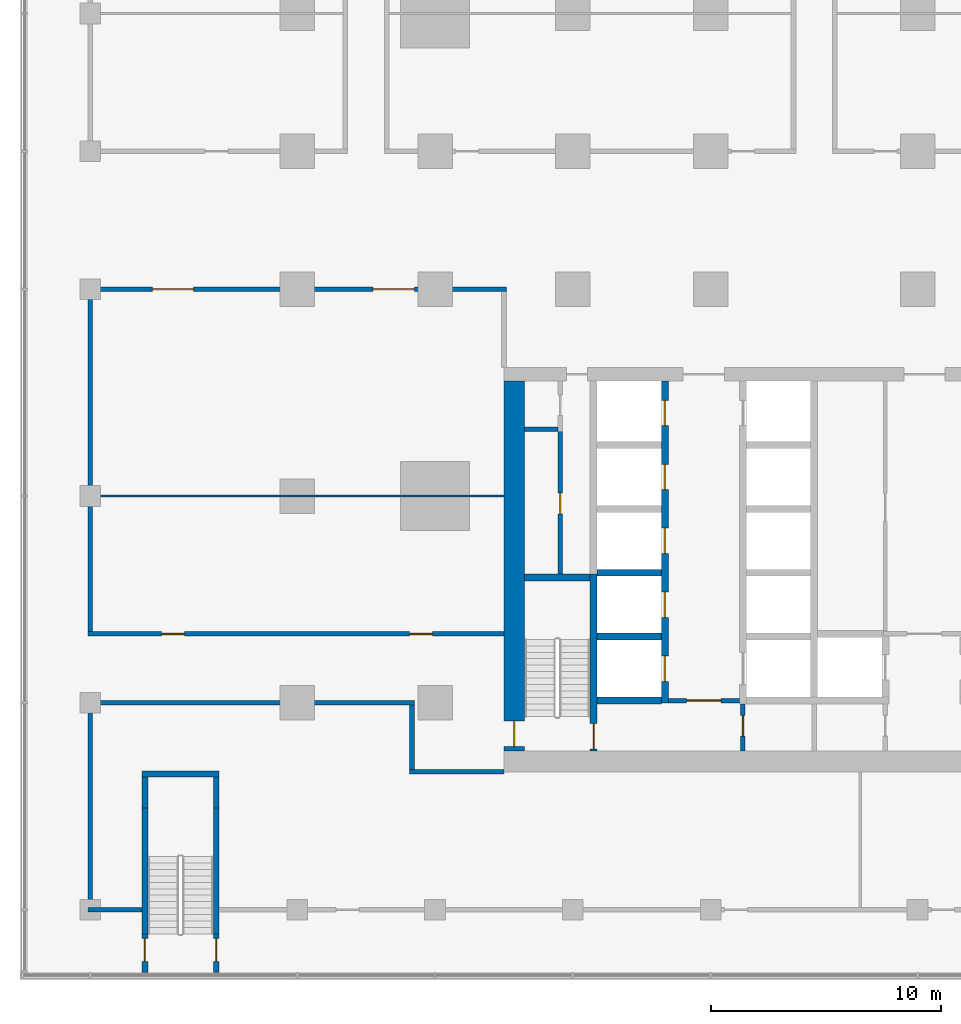
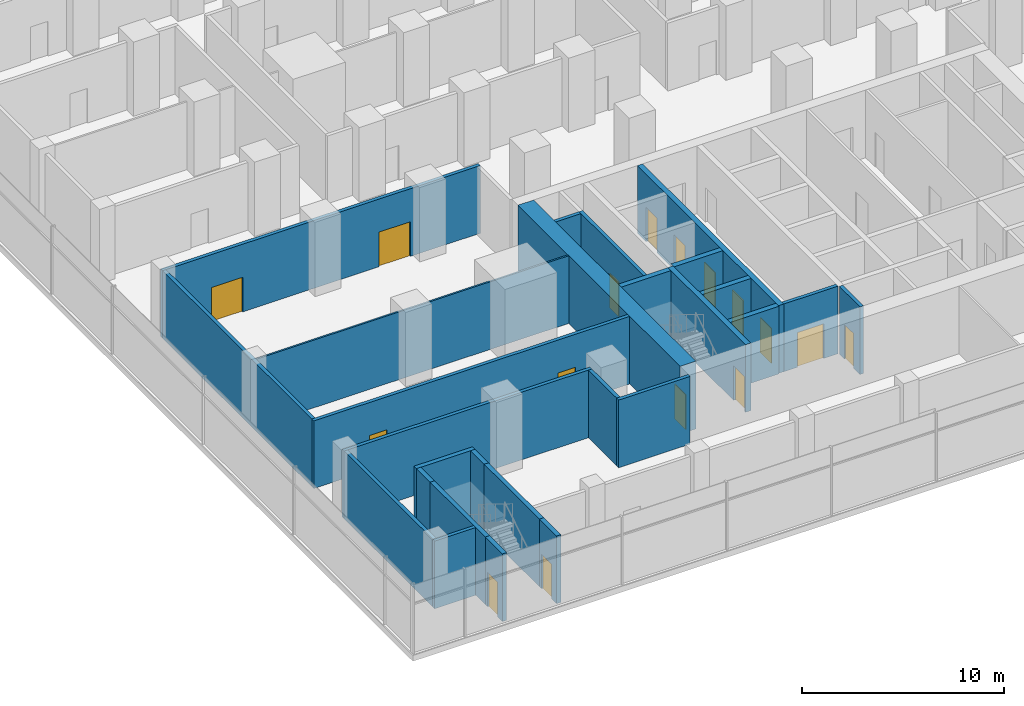
# One storey, part 12 of 22: 27 walls, 16 doors, 16 openings.
"""IFC4 building model written with IfcOpenShell, lengths in metres."""

from ifc_helpers import new_model, si_unit, direction, frame, frame_2d, origin, place, context, subcontext, project, spatial, rectangle, extrude, material, layer, layer_set, type_object, element, fill, save


model = new_model("IFC4")

# Units and contexts
model_context = context("Model", 3, precision=1e-05, world=origin(), true_north=direction((0.0, 1.0)))
body_context = subcontext(model_context, "Body", "Model", "MODEL_VIEW")
ifc_project = project(units=[si_unit("LENGTHUNIT", "METRE"), si_unit("AREAUNIT", "SQUARE_METRE"), si_unit("VOLUMEUNIT", "CUBIC_METRE"), si_unit("PLANEANGLEUNIT", "RADIAN"), si_unit("MASSUNIT", "GRAM", prefix="KILO")], contexts=[model_context])

# Site, building, storey
site_placement = place(None, origin())
site = spatial("IfcSite", under=ifc_project, at=site_placement, CompositionType="ELEMENT")
building_placement = place(site_placement, origin())
building = spatial("IfcBuilding", under=site, at=building_placement, Name="Finial Court Residences", CompositionType="ELEMENT")
storey_placement = place(building_placement, frame((0.0, 0.0, 28.0)))
storey = spatial("IfcBuildingStorey", under=building, at=storey_placement, Name="L05", CompositionType="ELEMENT", Elevation=28.0)

# Wall, opening, door
ifc_material_1 = material(Name="Concrete C80/95", Category="concrete")
ifc_layer_1 = layer(ifc_material_1, 0.89990234375)
ifc_layer_set_1 = layer_set([ifc_layer_1], Name="Core outer wall 900 Concrete C80/95")
wall_type_1 = type_object("IfcWallType", Name="Core outer wall 900 Concrete C80/95", PredefinedType="SHEAR", material=ifc_layer_set_1)
wall_1_placement = place(storey_placement, frame((-13.050048828125, -8.5, 0.0), z_axis=(0.0, 0.0, 1.0), x_axis=(0.0, -1.0, 0.0)))
wall_1 = element("IfcWall", 1, at=wall_1_placement, inside=storey, type_object=wall_type_1, Name="Core outer wall L05-03", PredefinedType="SHEAR", context=body_context, shape_type="SweptSolid", body=[
    extrude(rectangle(XDim=16.10009765625, YDim=0.89990234375, at=frame_2d((8.050048828125, 0.0))), origin(), (0.0, 0.0, 1.0), 4.10009765625),
])
opening_1_placement = place(wall_1_placement, frame((14.800048828125, 0.0, 0.0)))
opening_1 = element("IfcOpeningElement", 2, at=opening_1_placement, cuts=wall_1, Name="Opening L05-C19", PredefinedType="OPENING", context=body_context, shape_type="SweptSolid", body=[
    extrude(rectangle(XDim=1.10009765625, YDim=2.10009765625, at=frame_2d((0.550048828125, 1.050048828125))), frame((0.0, 0.4599609375, 0.0), z_axis=(0.0, -1.0, 0.0), x_axis=(1.0, 0.0, 0.0)), (0.0, 0.0, 1.0), 0.919921875),
])
ifc_material_2 = material(Name="Steel fire door", Category="steel")
door_type_1 = type_object("IfcDoorType", Name="Stair door 1100 x 2100 EI 90", OperationType="NOTDEFINED", PredefinedType="DOOR", material=ifc_material_2)
door_1_placement = place(opening_1_placement, origin())
door_1 = element("IfcDoor", 3, at=door_1_placement, inside=storey, type_object=door_type_1, Name="Stair door L05-C19", OperationType="SINGLE_SWING_RIGHT", OverallHeight=2.10009765625, OverallWidth=1.10009765625, PredefinedType="DOOR", context=body_context, shape_type="SweptSolid", body=[
    extrude(rectangle(XDim=1.10009765625, YDim=2.10009765625, at=frame_2d((0.550048828125, 1.050048828125))), frame((0.0, 0.02490234375, 0.0), z_axis=(0.0, -1.0, 0.0), x_axis=(1.0, 0.0, 0.0)), (0.0, 0.0, 1.0), 0.050048828125),
])
fill(opening_1, door_1)

# Walls
ifc_material_3 = material(Name="Gypsum board")
ifc_layer_2 = layer(ifc_material_3, 0.02490234375)
ifc_material_4 = material(Name="Acoustic mineral wool in double frame")
ifc_layer_3 = layer(ifc_material_4, 0.14990234375)
ifc_layer_4 = layer(ifc_material_3, 0.02490234375)
ifc_layer_set_2 = layer_set([ifc_layer_2, ifc_layer_3, ifc_layer_4], Name="Corridor wall 200, 1 hour")
wall_type_2 = type_object("IfcWallType", Name="Corridor wall 200, 1 hour", PredefinedType="PARTITIONING", material=ifc_layer_set_2)
wall_2_placement = place(storey_placement, frame((-31.60009765625, -31.5, 0.0), z_axis=(0.0, 0.0, 1.0), x_axis=(1.0, 0.0, 0.0)))
element("IfcWall", 4, at=wall_2_placement, inside=storey, type_object=wall_type_2, Name="Partition L05-000", PredefinedType="PARTITIONING", context=body_context, shape_type="SweptSolid", body=[
    extrude(rectangle(XDim=2.35009765625, YDim=0.199951171875, at=frame_2d((1.175048828125, 0.0))), origin(), (0.0, 0.0, 1.0), 4.10009765625),
])
wall_3_placement = place(storey_placement, frame((-17.60009765625, -25.5, 0.0), z_axis=(0.0, 0.0, 1.0), x_axis=(1.0, 0.0, 0.0)))
element("IfcWall", 5, at=wall_3_placement, inside=storey, type_object=wall_type_2, Name="Partition L05-003", PredefinedType="PARTITIONING", context=body_context, shape_type="SweptSolid", body=[
    extrude(rectangle(XDim=4.10009765625, YDim=0.199951171875, at=frame_2d((2.050048828125, 0.0))), origin(), (0.0, 0.0, 1.0), 4.10009765625),
])
wall_4_placement = place(storey_placement, frame((-31.60009765625, -22.5, 0.0), z_axis=(0.0, 0.0, 1.0), x_axis=(1.0, 0.0, 0.0)))
element("IfcWall", 6, at=wall_4_placement, inside=storey, type_object=wall_type_2, Name="Partition L05-005", PredefinedType="PARTITIONING", context=body_context, shape_type="SweptSolid", body=[
    extrude(rectangle(XDim=14.2001953125, YDim=0.199951171875, at=frame_2d((7.10009765625, 0.0))), origin(), (0.0, 0.0, 1.0), 4.10009765625),
])

# Wall, openings, doors
wall_5_placement = place(storey_placement, frame((-31.60009765625, -19.5, 0.0), z_axis=(0.0, 0.0, 1.0), x_axis=(1.0, 0.0, 0.0)))
wall_5 = element("IfcWall", 7, at=wall_5_placement, inside=storey, type_object=wall_type_2, Name="Partition L05-008", PredefinedType="PARTITIONING", context=body_context, shape_type="SweptSolid", body=[
    extrude(rectangle(XDim=18.10009765625, YDim=0.199951171875, at=frame_2d((9.050048828125, 0.0))), origin(), (0.0, 0.0, 1.0), 4.10009765625),
])
opening_2_placement = place(wall_5_placement, frame((3.199951171875, 0.0, 0.0)))
opening_2 = element("IfcOpeningElement", 8, at=opening_2_placement, cuts=wall_5, Name="Opening L05-D008", PredefinedType="OPENING", context=body_context, shape_type="SweptSolid", body=[
    extrude(rectangle(XDim=1.0, YDim=2.10009765625, at=frame_2d((0.5, 1.050048828125))), frame((0.0, 0.10986328125, 0.0), z_axis=(0.0, -1.0, 0.0), x_axis=(1.0, 0.0, 0.0)), (0.0, 0.0, 1.0), 0.219970703125),
])
opening_3_placement = place(wall_5_placement, frame((14.0, 0.0, 0.0)))
opening_3 = element("IfcOpeningElement", 9, at=opening_3_placement, cuts=wall_5, Name="Opening L05-D009", PredefinedType="OPENING", context=body_context, shape_type="SweptSolid", body=[
    extrude(rectangle(XDim=1.0, YDim=2.10009765625, at=frame_2d((0.5, 1.050048828125))), frame((0.0, 0.10986328125, 0.0), z_axis=(0.0, -1.0, 0.0), x_axis=(1.0, 0.0, 0.0)), (0.0, 0.0, 1.0), 0.219970703125),
])
ifc_material_5 = material(Name="Timber door leaf in hollow metal frame", Category="wood")
door_type_2 = type_object("IfcDoorType", Name="Fire door set 1000 x 2100, 30 minutes", OperationType="SINGLE_SWING_LEFT", PredefinedType="DOOR", material=ifc_material_5)
door_2_placement = place(opening_2_placement, origin())
door_2 = element("IfcDoor", 10, at=door_2_placement, inside=storey, type_object=door_type_2, Name="Door L05-D008", OperationType="SINGLE_SWING_RIGHT", OverallHeight=2.10009765625, OverallWidth=1.0, PredefinedType="DOOR", context=body_context, shape_type="SweptSolid", body=[
    extrude(rectangle(XDim=1.0, YDim=2.10009765625, at=frame_2d((0.5, 1.050048828125))), frame((0.0, 0.02490234375, 0.0), z_axis=(0.0, -1.0, 0.0), x_axis=(1.0, 0.0, 0.0)), (0.0, 0.0, 1.0), 0.050048828125),
])
fill(opening_2, door_2)
door_3_placement = place(opening_3_placement, origin())
door_3 = element("IfcDoor", 11, at=door_3_placement, inside=storey, type_object=door_type_2, Name="Door L05-D009", OperationType="SINGLE_SWING_LEFT", OverallHeight=2.10009765625, OverallWidth=1.0, PredefinedType="DOOR", context=body_context, shape_type="SweptSolid", body=[
    extrude(rectangle(XDim=1.0, YDim=2.10009765625, at=frame_2d((0.5, 1.050048828125))), frame((0.0, 0.02490234375, 0.0), z_axis=(0.0, -1.0, 0.0), x_axis=(1.0, 0.0, 0.0)), (0.0, 0.0, 1.0), 0.050048828125),
])
fill(opening_3, door_3)

wall_6_placement = place(storey_placement, frame((-31.60009765625, -4.5, 0.0), z_axis=(0.0, 0.0, 1.0), x_axis=(1.0, 0.0, 0.0)))
wall_6 = element("IfcWall", 12, at=wall_6_placement, inside=storey, type_object=wall_type_2, Name="Partition L05-015", PredefinedType="PARTITIONING", context=body_context, shape_type="SweptSolid", body=[
    extrude(rectangle(XDim=18.2001953125, YDim=0.199951171875, at=frame_2d((9.10009765625, 0.0))), origin(), (0.0, 0.0, 1.0), 4.10009765625),
])
opening_4_placement = place(wall_6_placement, frame((2.800048828125, 0.0, 0.0)))
opening_4 = element("IfcOpeningElement", 13, at=opening_4_placement, cuts=wall_6, Name="Opening L05-D013", PredefinedType="OPENING", context=body_context, shape_type="SweptSolid", body=[
    extrude(rectangle(XDim=1.800048828125, YDim=2.10009765625, at=frame_2d((0.89990234375, 1.050048828125))), frame((0.0, 0.10986328125, 0.0), z_axis=(0.0, -1.0, 0.0), x_axis=(1.0, 0.0, 0.0)), (0.0, 0.0, 1.0), 0.219970703125),
])
opening_5_placement = place(wall_6_placement, frame((12.39990234375, 0.0, 0.0)))
opening_5 = element("IfcOpeningElement", 14, at=opening_5_placement, cuts=wall_6, Name="Opening L05-D014", PredefinedType="OPENING", context=body_context, shape_type="SweptSolid", body=[
    extrude(rectangle(XDim=1.800048828125, YDim=2.10009765625, at=frame_2d((0.89990234375, 1.050048828125))), frame((0.0, 0.10986328125, 0.0), z_axis=(0.0, -1.0, 0.0), x_axis=(1.0, 0.0, 0.0)), (0.0, 0.0, 1.0), 0.219970703125),
])
door_type_3 = type_object("IfcDoorType", Name="Fire door set 1800 x 2100, 30 minutes", OperationType="DOUBLE_DOOR_SINGLE_SWING", PredefinedType="DOOR", material=ifc_material_5)
door_4_placement = place(opening_4_placement, origin())
door_4 = element("IfcDoor", 15, at=door_4_placement, inside=storey, type_object=door_type_3, Name="Door L05-D013", OperationType="DOUBLE_DOOR_SINGLE_SWING", OverallHeight=2.10009765625, OverallWidth=1.800048828125, PredefinedType="DOOR", context=body_context, shape_type="SweptSolid", body=[
    extrude(rectangle(XDim=1.800048828125, YDim=2.10009765625, at=frame_2d((0.89990234375, 1.050048828125))), frame((0.0, 0.02490234375, 0.0), z_axis=(0.0, -1.0, 0.0), x_axis=(1.0, 0.0, 0.0)), (0.0, 0.0, 1.0), 0.050048828125),
])
fill(opening_4, door_4)
door_5_placement = place(opening_5_placement, origin())
door_5 = element("IfcDoor", 16, at=door_5_placement, inside=storey, type_object=door_type_3, Name="Door L05-D014", OperationType="DOUBLE_DOOR_SINGLE_SWING", OverallHeight=2.10009765625, OverallWidth=1.800048828125, PredefinedType="DOOR", context=body_context, shape_type="SweptSolid", body=[
    extrude(rectangle(XDim=1.800048828125, YDim=2.10009765625, at=frame_2d((0.89990234375, 1.050048828125))), frame((0.0, 0.02490234375, 0.0), z_axis=(0.0, -1.0, 0.0), x_axis=(1.0, 0.0, 0.0)), (0.0, 0.0, 1.0), 0.050048828125),
])
fill(opening_5, door_5)

# Walls
wall_7_placement = place(storey_placement, frame((-31.5, -31.39990234375, 0.0), z_axis=(0.0, 0.0, 1.0), x_axis=(0.0, 1.0, 0.0)))
element("IfcWall", 17, at=wall_7_placement, inside=storey, type_object=wall_type_2, Name="Partition L05-039", PredefinedType="PARTITIONING", context=body_context, shape_type="SweptSolid", body=[
    extrude(rectangle(XDim=8.7998046875, YDim=0.199951171875, at=frame_2d((4.39990234375, 0.0))), origin(), (0.0, 0.0, 1.0), 4.10009765625),
])
wall_8_placement = place(storey_placement, frame((-31.5, -19.39990234375, 0.0), z_axis=(0.0, 0.0, 1.0), x_axis=(0.0, 1.0, 0.0)))
element("IfcWall", 18, at=wall_8_placement, inside=storey, type_object=wall_type_2, Name="Partition L05-040", PredefinedType="PARTITIONING", context=body_context, shape_type="SweptSolid", body=[
    extrude(rectangle(XDim=14.7998046875, YDim=0.199951171875, at=frame_2d((7.39990234375, 0.0))), origin(), (0.0, 0.0, 1.0), 4.10009765625),
])
wall_9_placement = place(storey_placement, frame((-17.5, -25.39990234375, 0.0), z_axis=(0.0, 0.0, 1.0), x_axis=(0.0, 1.0, 0.0)))
element("IfcWall", 19, at=wall_9_placement, inside=storey, type_object=wall_type_2, Name="Partition L05-045", PredefinedType="PARTITIONING", context=body_context, shape_type="SweptSolid", body=[
    extrude(rectangle(XDim=2.7998046875, YDim=0.199951171875, at=frame_2d((1.39990234375, 0.0))), origin(), (0.0, 0.0, 1.0), 4.10009765625),
])
ifc_layer_5 = layer(ifc_material_3, 0.012451171875)
ifc_material_6 = material(Name="Mineral wool in light-gauge frame")
ifc_layer_6 = layer(ifc_material_6, 0.074951171875)
ifc_layer_7 = layer(ifc_material_3, 0.012451171875)
ifc_layer_set_3 = layer_set([ifc_layer_5, ifc_layer_6, ifc_layer_7], Name="Gypsum board partition 100")
wall_type_3 = type_object("IfcWallType", Name="Gypsum board partition 100", PredefinedType="PARTITIONING", material=ifc_layer_set_3)
wall_10_placement = place(storey_placement, frame((-31.39990234375, -13.5, 0.0), z_axis=(0.0, 0.0, 1.0), x_axis=(1.0, 0.0, 0.0)))
element("IfcWall", 20, at=wall_10_placement, inside=storey, type_object=wall_type_3, Name="Partition L05-012", PredefinedType="PARTITIONING", context=body_context, shape_type="SweptSolid", body=[
    extrude(rectangle(XDim=17.89990234375, YDim=0.10009765625, at=frame_2d((8.949951171875, 0.0))), origin(), (0.0, 0.0, 1.0), 4.10009765625),
])
ifc_layer_8 = layer(ifc_material_1, 0.300048828125)
ifc_layer_set_4 = layer_set([ifc_layer_8], Name="Lift shaft and stair wall 300 Concrete C80/95")
wall_type_4 = type_object("IfcWallType", Name="Lift shaft and stair wall 300 Concrete C80/95", PredefinedType="SHEAR", material=ifc_layer_set_4)
for number, where, z_axis, x_axis, name in (
    (21, (-9.449951171875, -22.39990234375, 0.0), (0.0, 0.0, 1.0), (1.0, 0.0, 0.0), "Core wall L05-01"),
    (22, (-9.449951171875, -19.6201171875, 0.0), (0.0, 0.0, 1.0), (1.0, 0.0, 0.0), "Core wall L05-05"),
):
    element("IfcWall", number, at=place(storey_placement, frame(where, z_axis=z_axis, x_axis=x_axis)), inside=storey, type_object=wall_type_4, Name=name, PredefinedType="SHEAR", context=body_context, shape_type="SweptSolid", body=[
        extrude(rectangle(XDim=2.800048828125, YDim=0.300048828125, at=frame_2d((1.39990234375, 0.0))), origin(), (0.0, 0.0, 1.0), 4.10009765625),
    ])
wall_11_placement = place(storey_placement, frame((-12.60009765625, -17.050048828125, 0.0), z_axis=(0.0, 0.0, 1.0), x_axis=(1.0, 0.0, 0.0)))
element("IfcWall", 23, at=wall_11_placement, inside=storey, type_object=wall_type_4, Name="Core wall L05-10", PredefinedType="SHEAR", context=body_context, shape_type="SweptSolid", body=[
    extrude(rectangle(XDim=2.85009765625, YDim=0.300048828125, at=frame_2d((1.425048828125, 0.0))), origin(), (0.0, 0.0, 1.0), 4.10009765625),
])
wall_12_placement = place(storey_placement, frame((-9.449951171875, -16.840087890625, 0.0), z_axis=(0.0, 0.0, 1.0), x_axis=(1.0, 0.0, 0.0)))
element("IfcWall", 24, at=wall_12_placement, inside=storey, type_object=wall_type_4, Name="Core wall L05-12", PredefinedType="SHEAR", context=body_context, shape_type="SweptSolid", body=[
    extrude(rectangle(XDim=2.800048828125, YDim=0.300048828125, at=frame_2d((1.39990234375, 0.0))), origin(), (0.0, 0.0, 1.0), 4.10009765625),
])

# Wall, opening, door
wall_13_placement = place(storey_placement, frame((-9.60009765625, -24.60009765625, 0.0), z_axis=(0.0, 0.0, 1.0), x_axis=(0.0, 1.0, 0.0)))
wall_13 = element("IfcWall", 25, at=wall_13_placement, inside=storey, type_object=wall_type_4, Name="Core wall L05-23", PredefinedType="SHEAR", context=body_context, shape_type="SweptSolid", body=[
    extrude(rectangle(XDim=7.7001953125, YDim=0.300048828125, at=frame_2d((3.85009765625, 0.0))), origin(), (0.0, 0.0, 1.0), 4.10009765625),
])
opening_6_placement = place(wall_13_placement, frame((0.10009765625, 0.0, 0.0)))
opening_6 = element("IfcOpeningElement", 26, at=opening_6_placement, cuts=wall_13, Name="Opening L05-C17", PredefinedType="OPENING", context=body_context, shape_type="SweptSolid", body=[
    extrude(rectangle(XDim=1.10009765625, YDim=2.10009765625, at=frame_2d((0.550048828125, 1.050048828125))), frame((0.0, 0.159912109375, 0.0), z_axis=(0.0, -1.0, 0.0), x_axis=(1.0, 0.0, 0.0)), (0.0, 0.0, 1.0), 0.320068359375),
])
door_6_placement = place(opening_6_placement, origin())
door_6 = element("IfcDoor", 27, at=door_6_placement, inside=storey, type_object=door_type_1, Name="Stair door L05-C17", OperationType="SINGLE_SWING_LEFT", OverallHeight=2.10009765625, OverallWidth=1.10009765625, PredefinedType="DOOR", context=body_context, shape_type="SweptSolid", body=[
    extrude(rectangle(XDim=1.10009765625, YDim=2.10009765625, at=frame_2d((0.550048828125, 1.050048828125))), frame((0.0, 0.02490234375, 0.0), z_axis=(0.0, -1.0, 0.0), x_axis=(1.0, 0.0, 0.0)), (0.0, 0.0, 1.0), 0.050048828125),
])
fill(opening_6, door_6)

# Wall, openings, doors
wall_14_placement = place(storey_placement, frame((-6.5, -22.5, 0.0), z_axis=(0.0, 0.0, 1.0), x_axis=(0.0, 1.0, 0.0)))
wall_14 = element("IfcWall", 28, at=wall_14_placement, inside=storey, type_object=wall_type_4, Name="Core wall L05-25", PredefinedType="SHEAR", context=body_context, shape_type="SweptSolid", body=[
    extrude(rectangle(XDim=14.0, YDim=0.300048828125, at=frame_2d((7.0, 0.0))), origin(), (0.0, 0.0, 1.0), 4.10009765625),
])
opening_7_placement = place(wall_14_placement, frame((0.93994140625, 0.0, 0.0)))
opening_7 = element("IfcOpeningElement", 29, at=opening_7_placement, cuts=wall_14, Name="Opening L05-LD03", PredefinedType="OPENING", context=body_context, shape_type="SweptSolid", body=[
    extrude(rectangle(XDim=1.10009765625, YDim=2.10009765625, at=frame_2d((0.550048828125, 1.050048828125))), frame((0.0, 0.159912109375, 0.0), z_axis=(0.0, -1.0, 0.0), x_axis=(1.0, 0.0, 0.0)), (0.0, 0.0, 1.0), 0.320068359375),
])
opening_8_placement = place(wall_14_placement, frame((3.719970703125, 0.0, 0.0)))
opening_8 = element("IfcOpeningElement", 30, at=opening_8_placement, cuts=wall_14, Name="Opening L05-LD04", PredefinedType="OPENING", context=body_context, shape_type="SweptSolid", body=[
    extrude(rectangle(XDim=1.10009765625, YDim=2.10009765625, at=frame_2d((0.550048828125, 1.050048828125))), frame((0.0, 0.159912109375, 0.0), z_axis=(0.0, -1.0, 0.0), x_axis=(1.0, 0.0, 0.0)), (0.0, 0.0, 1.0), 0.320068359375),
])
opening_9_placement = place(wall_14_placement, frame((6.5, 0.0, 0.0)))
opening_9 = element("IfcOpeningElement", 31, at=opening_9_placement, cuts=wall_14, Name="Opening L05-LD05", PredefinedType="OPENING", context=body_context, shape_type="SweptSolid", body=[
    extrude(rectangle(XDim=1.10009765625, YDim=2.10009765625, at=frame_2d((0.550048828125, 1.050048828125))), frame((0.0, 0.159912109375, 0.0), z_axis=(0.0, -1.0, 0.0), x_axis=(1.0, 0.0, 0.0)), (0.0, 0.0, 1.0), 0.320068359375),
])
opening_10_placement = place(wall_14_placement, frame((9.280029296875, 0.0, 0.0)))
opening_10 = element("IfcOpeningElement", 32, at=opening_10_placement, cuts=wall_14, Name="Opening L05-LD06", PredefinedType="OPENING", context=body_context, shape_type="SweptSolid", body=[
    extrude(rectangle(XDim=1.10009765625, YDim=2.10009765625, at=frame_2d((0.550048828125, 1.050048828125))), frame((0.0, 0.159912109375, 0.0), z_axis=(0.0, -1.0, 0.0), x_axis=(1.0, 0.0, 0.0)), (0.0, 0.0, 1.0), 0.320068359375),
])
opening_11_placement = place(wall_14_placement, frame((12.06005859375, 0.0, 0.0)))
opening_11 = element("IfcOpeningElement", 33, at=opening_11_placement, cuts=wall_14, Name="Opening L05-LD07", PredefinedType="OPENING", context=body_context, shape_type="SweptSolid", body=[
    extrude(rectangle(XDim=1.10009765625, YDim=2.10009765625, at=frame_2d((0.550048828125, 1.050048828125))), frame((0.0, 0.159912109375, 0.0), z_axis=(0.0, -1.0, 0.0), x_axis=(1.0, 0.0, 0.0)), (0.0, 0.0, 1.0), 0.320068359375),
])
ifc_material_7 = material(Name="Stainless steel lift door", Category="steel")
door_type_4 = type_object("IfcDoorType", Name="Lift landing door 1100 x 2100 EI 90", OperationType="DOUBLE_DOOR_SLIDING", PredefinedType="DOOR", material=ifc_material_7)
door_7_placement = place(opening_7_placement, origin())
door_7 = element("IfcDoor", 34, at=door_7_placement, inside=storey, type_object=door_type_4, Name="Lift landing door LR1 L05", OperationType="DOUBLE_DOOR_SLIDING", OverallHeight=2.10009765625, OverallWidth=1.10009765625, PredefinedType="DOOR", context=body_context, shape_type="SweptSolid", body=[
    extrude(rectangle(XDim=1.10009765625, YDim=2.10009765625, at=frame_2d((0.550048828125, 1.050048828125))), frame((0.0, 0.02490234375, 0.0), z_axis=(0.0, -1.0, 0.0), x_axis=(1.0, 0.0, 0.0)), (0.0, 0.0, 1.0), 0.050048828125),
])
fill(opening_7, door_7)
door_8_placement = place(opening_8_placement, origin())
door_8 = element("IfcDoor", 35, at=door_8_placement, inside=storey, type_object=door_type_4, Name="Lift landing door LR2 L05", OperationType="DOUBLE_DOOR_SLIDING", OverallHeight=2.10009765625, OverallWidth=1.10009765625, PredefinedType="DOOR", context=body_context, shape_type="SweptSolid", body=[
    extrude(rectangle(XDim=1.10009765625, YDim=2.10009765625, at=frame_2d((0.550048828125, 1.050048828125))), frame((0.0, 0.02490234375, 0.0), z_axis=(0.0, -1.0, 0.0), x_axis=(1.0, 0.0, 0.0)), (0.0, 0.0, 1.0), 0.050048828125),
])
fill(opening_8, door_8)
door_9_placement = place(opening_9_placement, origin())
door_9 = element("IfcDoor", 36, at=door_9_placement, inside=storey, type_object=door_type_4, Name="Lift landing door LR3 L05", OperationType="DOUBLE_DOOR_SLIDING", OverallHeight=2.10009765625, OverallWidth=1.10009765625, PredefinedType="DOOR", context=body_context, shape_type="SweptSolid", body=[
    extrude(rectangle(XDim=1.10009765625, YDim=2.10009765625, at=frame_2d((0.550048828125, 1.050048828125))), frame((0.0, 0.02490234375, 0.0), z_axis=(0.0, -1.0, 0.0), x_axis=(1.0, 0.0, 0.0)), (0.0, 0.0, 1.0), 0.050048828125),
])
fill(opening_9, door_9)
door_10_placement = place(opening_10_placement, origin())
door_10 = element("IfcDoor", 37, at=door_10_placement, inside=storey, type_object=door_type_4, Name="Lift landing door LR4 L05", OperationType="DOUBLE_DOOR_SLIDING", OverallHeight=2.10009765625, OverallWidth=1.10009765625, PredefinedType="DOOR", context=body_context, shape_type="SweptSolid", body=[
    extrude(rectangle(XDim=1.10009765625, YDim=2.10009765625, at=frame_2d((0.550048828125, 1.050048828125))), frame((0.0, 0.02490234375, 0.0), z_axis=(0.0, -1.0, 0.0), x_axis=(1.0, 0.0, 0.0)), (0.0, 0.0, 1.0), 0.050048828125),
])
fill(opening_10, door_10)
door_11_placement = place(opening_11_placement, origin())
door_11 = element("IfcDoor", 38, at=door_11_placement, inside=storey, type_object=door_type_4, Name="Lift landing door LR5 L05", OperationType="DOUBLE_DOOR_SLIDING", OverallHeight=2.10009765625, OverallWidth=1.10009765625, PredefinedType="DOOR", context=body_context, shape_type="SweptSolid", body=[
    extrude(rectangle(XDim=1.10009765625, YDim=2.10009765625, at=frame_2d((0.550048828125, 1.050048828125))), frame((0.0, 0.02490234375, 0.0), z_axis=(0.0, -1.0, 0.0), x_axis=(1.0, 0.0, 0.0)), (0.0, 0.0, 1.0), 0.050048828125),
])
fill(opening_11, door_11)

# Wall
ifc_material_8 = material(Name="Fire-rated gypsum board partition")
ifc_layer_9 = layer(ifc_material_8, 0.199951171875)
ifc_layer_set_5 = layer_set([ifc_layer_9], Name="Riser room wall 200 EI 120")
wall_type_5 = type_object("IfcWallType", Name="Riser room wall 200 EI 120", PredefinedType="PARTITIONING", material=ifc_layer_set_5)
wall_15_placement = place(storey_placement, frame((-12.60009765625, -10.60009765625, 0.0), z_axis=(0.0, 0.0, 1.0), x_axis=(1.0, 0.0, 0.0)))
element("IfcWall", 39, at=wall_15_placement, inside=storey, type_object=wall_type_5, Name="Core partition L05-20", PredefinedType="PARTITIONING", context=body_context, shape_type="SweptSolid", body=[
    extrude(rectangle(XDim=1.4501953125, YDim=0.199951171875, at=frame_2d((0.72509765625, 0.0))), origin(), (0.0, 0.0, 1.0), 4.10009765625),
])

# Wall, opening, door
ifc_material_9 = material(Name="Concrete C50/60", Category="concrete")
ifc_layer_10 = layer(ifc_material_9, 0.25)
ifc_layer_set_6 = layer_set([ifc_layer_10], Name="Stair enclosure wall 250 Concrete C50/60")
wall_type_6 = type_object("IfcWallType", Name="Stair enclosure wall 250 Concrete C50/60", PredefinedType="SHEAR", material=ifc_layer_set_6)
wall_16_placement = place(storey_placement, frame((-29.125, -32.550048828125, 0.0), z_axis=(0.0, 0.0, 1.0), x_axis=(0.0, -1.0, 0.0)))
wall_16 = element("IfcWall", 40, at=wall_16_placement, inside=storey, type_object=wall_type_6, Name="Exit Stair 4 enclosure wall L05-W1", PredefinedType="SHEAR", context=body_context, shape_type="SweptSolid", body=[
    extrude(rectangle(XDim=1.68994140625, YDim=0.25, at=frame_2d((0.844970703125, 0.0))), origin(), (0.0, 0.0, 1.0), 4.10009765625),
])
opening_12_placement = place(wall_16_placement, frame((0.199951171875, 0.0, 0.0)))
opening_12 = element("IfcOpeningElement", 41, at=opening_12_placement, cuts=wall_16, Name="Opening L05-S4", PredefinedType="OPENING", context=body_context, shape_type="SweptSolid", body=[
    extrude(rectangle(XDim=1.0, YDim=2.10009765625, at=frame_2d((0.5, 1.050048828125))), frame((0.0, 0.135009765625, 0.0), z_axis=(0.0, -1.0, 0.0), x_axis=(1.0, 0.0, 0.0)), (0.0, 0.0, 1.0), 0.27001953125),
])
door_type_5 = type_object("IfcDoorType", Name="Stair door 1000 x 2100 EI 90", OperationType="NOTDEFINED", PredefinedType="DOOR", material=ifc_material_2)
door_12_placement = place(opening_12_placement, origin())
door_12 = element("IfcDoor", 42, at=door_12_placement, inside=storey, type_object=door_type_5, Name="Exit Stair 4 door L05", OperationType="SINGLE_SWING_RIGHT", OverallHeight=2.10009765625, OverallWidth=1.0, PredefinedType="DOOR", context=body_context, shape_type="SweptSolid", body=[
    extrude(rectangle(XDim=1.0, YDim=2.10009765625, at=frame_2d((0.5, 1.050048828125))), frame((0.0, 0.02490234375, 0.0), z_axis=(0.0, -1.0, 0.0), x_axis=(1.0, 0.0, 0.0)), (0.0, 0.0, 1.0), 0.050048828125),
])
fill(opening_12, door_12)

# Walls
wall_17_placement = place(storey_placement, frame((-29.125, -32.550048828125, 0.0), z_axis=(0.0, 0.0, 1.0), x_axis=(0.0, 1.0, 0.0)))
element("IfcWall", 43, at=wall_17_placement, inside=storey, type_object=wall_type_6, Name="Exit Stair 4 enclosure wall L05-W2", PredefinedType="SHEAR", context=body_context, shape_type="SweptSolid", body=[
    extrude(rectangle(XDim=5.47998046875, YDim=0.25, at=frame_2d((2.739990234375, 0.0))), origin(), (0.0, 0.0, 1.0), 4.10009765625),
])
wall_18_placement = place(storey_placement, frame((-29.125, -27.070068359375, 0.0), z_axis=(0.0, 0.0, 1.0), x_axis=(0.0, 1.0, 0.0)))
element("IfcWall", 44, at=wall_18_placement, inside=storey, type_object=wall_type_6, Name="Exit Stair 4 enclosure wall L05-W3", PredefinedType="SHEAR", context=body_context, shape_type="SweptSolid", body=[
    extrude(rectangle(XDim=1.35009765625, YDim=0.25, at=frame_2d((0.675048828125, 0.0))), origin(), (0.0, 0.0, 1.0), 4.10009765625),
])

# Wall, opening, door
wall_19_placement = place(storey_placement, frame((-26.02490234375, -34.239990234375, 0.0), z_axis=(0.0, 0.0, 1.0), x_axis=(0.0, 1.0, 0.0)))
wall_19 = element("IfcWall", 45, at=wall_19_placement, inside=storey, type_object=wall_type_6, Name="Exit Stair 4 enclosure wall L05-E1", PredefinedType="SHEAR", context=body_context, shape_type="SweptSolid", body=[
    extrude(rectangle(XDim=1.68994140625, YDim=0.25, at=frame_2d((0.844970703125, 0.0))), origin(), (0.0, 0.0, 1.0), 4.10009765625),
])
opening_13_placement = place(wall_19_placement, frame((0.489990234375, 0.0, 0.0)))
opening_13 = element("IfcOpeningElement", 46, at=opening_13_placement, cuts=wall_19, Name="Opening L05-S4E", PredefinedType="OPENING", context=body_context, shape_type="SweptSolid", body=[
    extrude(rectangle(XDim=1.0, YDim=2.10009765625, at=frame_2d((0.5, 1.050048828125))), frame((0.0, 0.135009765625, 0.0), z_axis=(0.0, -1.0, 0.0), x_axis=(1.0, 0.0, 0.0)), (0.0, 0.0, 1.0), 0.27001953125),
])
door_13_placement = place(opening_13_placement, origin())
door_13 = element("IfcDoor", 47, at=door_13_placement, inside=storey, type_object=door_type_5, Name="Exit Stair 4 east door L05", OperationType="SINGLE_SWING_LEFT", OverallHeight=2.10009765625, OverallWidth=1.0, PredefinedType="DOOR", context=body_context, shape_type="SweptSolid", body=[
    extrude(rectangle(XDim=1.0, YDim=2.10009765625, at=frame_2d((0.5, 1.050048828125))), frame((0.0, 0.02490234375, 0.0), z_axis=(0.0, -1.0, 0.0), x_axis=(1.0, 0.0, 0.0)), (0.0, 0.0, 1.0), 0.050048828125),
])
fill(opening_13, door_13)

# Walls
wall_20_placement = place(storey_placement, frame((-26.02490234375, -32.550048828125, 0.0), z_axis=(0.0, 0.0, 1.0), x_axis=(0.0, 1.0, 0.0)))
element("IfcWall", 48, at=wall_20_placement, inside=storey, type_object=wall_type_6, Name="Exit Stair 4 enclosure wall L05-E2", PredefinedType="SHEAR", context=body_context, shape_type="SweptSolid", body=[
    extrude(rectangle(XDim=5.47998046875, YDim=0.25, at=frame_2d((2.739990234375, 0.0))), origin(), (0.0, 0.0, 1.0), 4.10009765625),
])
wall_21_placement = place(storey_placement, frame((-26.02490234375, -27.070068359375, 0.0), z_axis=(0.0, 0.0, 1.0), x_axis=(0.0, 1.0, 0.0)))
element("IfcWall", 49, at=wall_21_placement, inside=storey, type_object=wall_type_6, Name="Exit Stair 4 enclosure wall L05-E3", PredefinedType="SHEAR", context=body_context, shape_type="SweptSolid", body=[
    extrude(rectangle(XDim=1.35009765625, YDim=0.25, at=frame_2d((0.675048828125, 0.0))), origin(), (0.0, 0.0, 1.0), 4.10009765625),
])
wall_22_placement = place(storey_placement, frame((-29.25, -25.594970703125, 0.0), z_axis=(0.0, 0.0, 1.0), x_axis=(1.0, 0.0, 0.0)))
element("IfcWall", 50, at=wall_22_placement, inside=storey, type_object=wall_type_6, Name="Exit Stair 4 enclosure wall L05-N", PredefinedType="SHEAR", context=body_context, shape_type="SweptSolid", body=[
    extrude(rectangle(XDim=3.35009765625, YDim=0.25, at=frame_2d((1.675048828125, 0.0))), origin(), (0.0, 0.0, 1.0), 4.10009765625),
])

# Wall, opening, door
ifc_layer_11 = layer(ifc_material_8, 0.199951171875)
ifc_layer_set_7 = layer_set([ifc_layer_11], Name="Stair passage wall 200 EI 180")
wall_type_7 = type_object("IfcWallType", Name="Stair passage wall 200 EI 180", PredefinedType="PARTITIONING", material=ifc_layer_set_7)
wall_23_placement = place(storey_placement, frame((-3.25, -22.39990234375, 0.0), z_axis=(0.0, 0.0, 1.0), x_axis=(-1.0, 0.0, 0.0)))
wall_23 = element("IfcWall", 51, at=wall_23_placement, inside=storey, type_object=wall_type_7, Name="Core partition L05-02", PredefinedType="PARTITIONING", context=body_context, shape_type="SweptSolid", body=[
    extrude(rectangle(XDim=3.10009765625, YDim=0.199951171875, at=frame_2d((1.550048828125, 0.0))), origin(), (0.0, 0.0, 1.0), 4.10009765625),
])
opening_14_placement = place(wall_23_placement, frame((0.800048828125, 0.0, 0.0)))
opening_14 = element("IfcOpeningElement", 52, at=opening_14_placement, cuts=wall_23, Name="Opening L05-C03", PredefinedType="OPENING", context=body_context, shape_type="SweptSolid", body=[
    extrude(rectangle(XDim=1.5, YDim=2.10009765625, at=frame_2d((0.75, 1.050048828125))), frame((0.0, 0.10986328125, 0.0), z_axis=(0.0, -1.0, 0.0), x_axis=(1.0, 0.0, 0.0)), (0.0, 0.0, 1.0), 0.219970703125),
])
door_type_6 = type_object("IfcDoorType", Name="Lift lobby door 1500 x 2100 EI 60", OperationType="DOUBLE_DOOR_SINGLE_SWING", PredefinedType="DOOR", material=ifc_material_2)
door_14_placement = place(opening_14_placement, origin())
door_14 = element("IfcDoor", 53, at=door_14_placement, inside=storey, type_object=door_type_6, Name="Lift lobby door L05-C03", OperationType="DOUBLE_DOOR_SINGLE_SWING", OverallHeight=2.10009765625, OverallWidth=1.5, PredefinedType="DOOR", context=body_context, shape_type="SweptSolid", body=[
    extrude(rectangle(XDim=1.5, YDim=2.10009765625, at=frame_2d((0.75, 1.050048828125))), frame((0.0, 0.02490234375, 0.0), z_axis=(0.0, -1.0, 0.0), x_axis=(1.0, 0.0, 0.0)), (0.0, 0.0, 1.0), 0.050048828125),
])
fill(opening_14, door_14)

wall_24_placement = place(storey_placement, frame((-11.050048828125, -16.89990234375, 0.0), z_axis=(0.0, 0.0, 1.0), x_axis=(0.0, 1.0, 0.0)))
wall_24 = element("IfcWall", 54, at=wall_24_placement, inside=storey, type_object=wall_type_7, Name="Core partition L05-21", PredefinedType="PARTITIONING", context=body_context, shape_type="SweptSolid", body=[
    extrude(rectangle(XDim=6.39990234375, YDim=0.199951171875, at=frame_2d((3.199951171875, 0.0))), origin(), (0.0, 0.0, 1.0), 4.10009765625),
])
opening_15_placement = place(wall_24_placement, frame((2.625, 0.0, 0.0)))
opening_15 = element("IfcOpeningElement", 55, at=opening_15_placement, cuts=wall_24, Name="Opening L05-C12", PredefinedType="OPENING", context=body_context, shape_type="SweptSolid", body=[
    extrude(rectangle(XDim=0.89990234375, YDim=2.10009765625, at=frame_2d((0.449951171875, 1.050048828125))), frame((0.0, 0.10986328125, 0.0), z_axis=(0.0, -1.0, 0.0), x_axis=(1.0, 0.0, 0.0)), (0.0, 0.0, 1.0), 0.219970703125),
])
door_type_7 = type_object("IfcDoorType", Name="Core room door 900 x 2100 EI 60", OperationType="NOTDEFINED", PredefinedType="DOOR", material=ifc_material_2)
door_15_placement = place(opening_15_placement, origin())
door_15 = element("IfcDoor", 56, at=door_15_placement, inside=storey, type_object=door_type_7, Name="Core room door L05-C12", OperationType="SINGLE_SWING_RIGHT", OverallHeight=2.10009765625, OverallWidth=0.89990234375, PredefinedType="DOOR", context=body_context, shape_type="SweptSolid", body=[
    extrude(rectangle(XDim=0.89990234375, YDim=2.10009765625, at=frame_2d((0.449951171875, 1.050048828125))), frame((0.0, 0.02490234375, 0.0), z_axis=(0.0, -1.0, 0.0), x_axis=(1.0, 0.0, 0.0)), (0.0, 0.0, 1.0), 0.050048828125),
])
fill(opening_15, door_15)

wall_25_placement = place(storey_placement, frame((-3.10009765625, -22.550048828125, 0.0), z_axis=(0.0, 0.0, 1.0), x_axis=(0.0, -1.0, 0.0)))
wall_25 = element("IfcWall", 57, at=wall_25_placement, inside=storey, type_object=wall_type_7, Name="Core partition L05-26", PredefinedType="PARTITIONING", context=body_context, shape_type="SweptSolid", body=[
    extrude(rectangle(XDim=2.050048828125, YDim=0.199951171875, at=frame_2d((1.02490234375, 0.0))), origin(), (0.0, 0.0, 1.0), 4.10009765625),
])
opening_16_placement = place(wall_25_placement, frame((0.5, 0.0, 0.0)))
opening_16 = element("IfcOpeningElement", 58, at=opening_16_placement, cuts=wall_25, Name="Opening L05-C11", PredefinedType="OPENING", context=body_context, shape_type="SweptSolid", body=[
    extrude(rectangle(XDim=0.89990234375, YDim=2.10009765625, at=frame_2d((0.449951171875, 1.050048828125))), frame((0.0, 0.10986328125, 0.0), z_axis=(0.0, -1.0, 0.0), x_axis=(1.0, 0.0, 0.0)), (0.0, 0.0, 1.0), 0.219970703125),
])
door_16_placement = place(opening_16_placement, origin())
door_16 = element("IfcDoor", 59, at=door_16_placement, inside=storey, type_object=door_type_7, Name="Core room door L05-C11", OperationType="SINGLE_SWING_RIGHT", OverallHeight=2.10009765625, OverallWidth=0.89990234375, PredefinedType="DOOR", context=body_context, shape_type="SweptSolid", body=[
    extrude(rectangle(XDim=0.89990234375, YDim=2.10009765625, at=frame_2d((0.449951171875, 1.050048828125))), frame((0.0, 0.02490234375, 0.0), z_axis=(0.0, -1.0, 0.0), x_axis=(1.0, 0.0, 0.0)), (0.0, 0.0, 1.0), 0.050048828125),
])
fill(opening_16, door_16)

save(model, "model.ifc")
